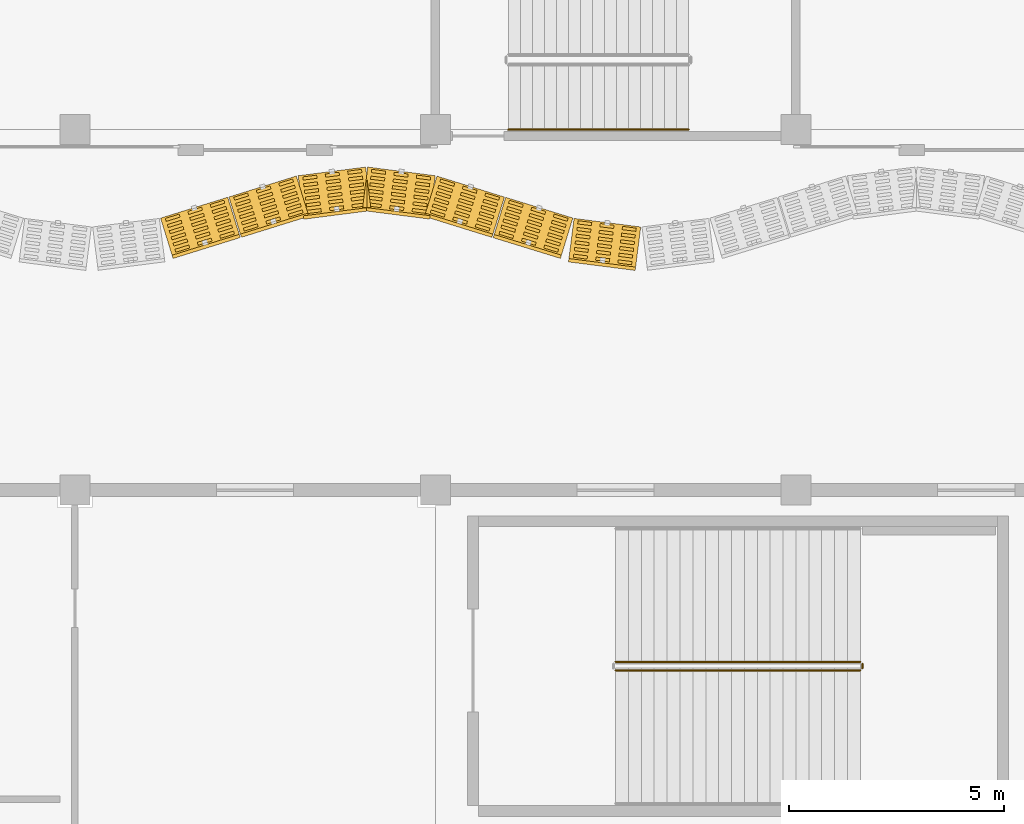
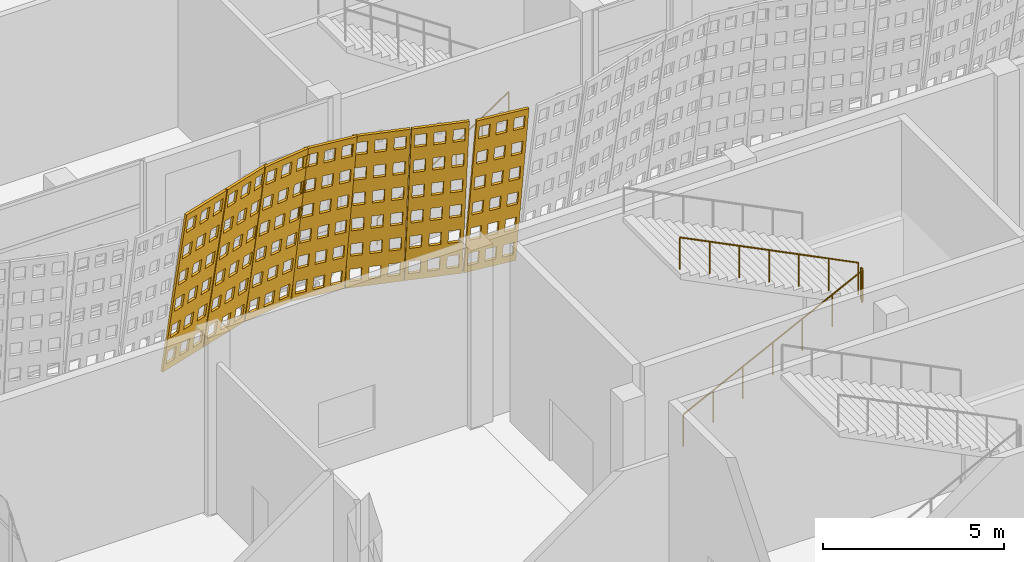
# One storey, part 187 of 210: 7 coverings, 4 railings.
"""IFC4 building model written with IfcOpenShell, lengths in metres."""

from ifc_helpers import new_model, si_unit, direction, frame, origin, origin_2d, place, context, subcontext, project, spatial, polyline, circle, outline, extrude, material, layer, layer_set, type_object, element, save


model = new_model("IFC4")

# Units and contexts
model_context = context("Model", 3, precision=1e-05, world=origin(), true_north=direction((0.0, 1.0)))
body_context = subcontext(model_context, "Body", "Model", "MODEL_VIEW")
ifc_project = project(units=[si_unit("LENGTHUNIT", "METRE"), si_unit("AREAUNIT", "SQUARE_METRE"), si_unit("VOLUMEUNIT", "CUBIC_METRE"), si_unit("PLANEANGLEUNIT", "RADIAN"), si_unit("MASSUNIT", "GRAM", prefix="KILO")], contexts=[model_context])

# Site, building, storey
site_placement = place(None, origin())
site = spatial("IfcSite", under=ifc_project, at=site_placement, CompositionType="ELEMENT")
building_placement = place(site_placement, origin())
building = spatial("IfcBuilding", under=site, at=building_placement, Name="Rain Tree Exposition and Congress Centre", CompositionType="ELEMENT")
storey_placement = place(building_placement, origin())
storey = spatial("IfcBuildingStorey", under=building, at=storey_placement, Name="L00", CompositionType="ELEMENT", Elevation=0.0)

# Railings
ifc_material_1 = material(Name="Aluminium handrail", Category="aluminium")
railing_type_1 = type_object("IfcRailingType", Name="Concourse handrail 900", PredefinedType="HANDRAIL", material=ifc_material_1)
railing_1_placement = place(storey_placement, frame((169.699951171875, 75.60009765625, 0.1875)))
element("IfcRailing", 1, at=railing_1_placement, inside=storey, type_object=railing_type_1, Name="L00 ST-C4 stair handrail 1", PredefinedType="HANDRAIL", context=body_context, shape_type="SweptSolid", body=[
    extrude(circle(Radius=0.02392578125, at=origin_2d()), frame((0.0, 0.0, 0.8759765625), z_axis=(0.830904186295, 0.0, 0.556415522067), x_axis=(0.0, 1.0, 0.0)), (0.0, 0.0, 1.0), 5.0546875),
    extrude(circle(Radius=0.02099609375, at=origin_2d()), origin(), (0.0, 0.0, 1.0), 0.851806640625),
    extrude(circle(Radius=0.02099609375, at=origin_2d()), frame((0.840087890625, 0.0, 0.5625)), (0.0, 0.0, 1.0), 0.851806640625),
    extrude(circle(Radius=0.02099609375, at=origin_2d()), frame((1.679931640625, 0.0, 1.125)), (0.0, 0.0, 1.0), 0.851806640625),
    extrude(circle(Radius=0.02099609375, at=origin_2d()), frame((2.52001953125, 0.0, 1.6875)), (0.0, 0.0, 1.0), 0.851806640625),
    extrude(circle(Radius=0.02099609375, at=origin_2d()), frame((3.35986328125, 0.0, 2.25)), (0.0, 0.0, 1.0), 0.851806640625),
    extrude(circle(Radius=0.02099609375, at=origin_2d()), frame((4.199951171875, 0.0, 2.8125)), (0.0, 0.0, 1.0), 0.851806640625),
])
ifc_material_2 = material(Name="Steel S355J2H", Category="steel")
railing_type_2 = type_object("IfcRailingType", Name="Steel guard 1100", PredefinedType="GUARDRAIL", material=ifc_material_2)
railing_2_placement = place(storey_placement, frame((172.199951171875, 63.0, 0.14990234375)))
element("IfcRailing", 2, at=railing_2_placement, inside=storey, type_object=railing_type_2, Name="L00 ST-G4 stair guard 1", PredefinedType="GUARDRAIL", context=body_context, shape_type="SweptSolid", body=[
    extrude(circle(Radius=0.02392578125, at=origin_2d()), frame((0.0, 0.0, 1.076171875), z_axis=(0.894419528903, 0.0, 0.447228919365), x_axis=(0.0, 1.0, 0.0)), (0.0, 0.0, 1.0), 6.372802734375),
    extrude(circle(Radius=0.02099609375, at=origin_2d()), origin(), (0.0, 0.0, 1.0), 1.052001953125),
    extrude(circle(Radius=0.02099609375, at=origin_2d()), frame((0.949951171875, 0.0, 0.47509765625)), (0.0, 0.0, 1.0), 1.052001953125),
    extrude(circle(Radius=0.02099609375, at=origin_2d()), frame((1.89990234375, 0.0, 0.949951171875)), (0.0, 0.0, 1.0), 1.052001953125),
    extrude(circle(Radius=0.02099609375, at=origin_2d()), frame((2.85009765625, 0.0, 1.425048828125)), (0.0, 0.0, 1.0), 1.052001953125),
    extrude(circle(Radius=0.02099609375, at=origin_2d()), frame((3.800048828125, 0.0, 1.900146484375)), (0.0, 0.0, 1.0), 1.052001953125),
    extrude(circle(Radius=0.02099609375, at=origin_2d()), frame((4.75, 0.0, 2.375)), (0.0, 0.0, 1.0), 1.052001953125),
    extrude(circle(Radius=0.02099609375, at=origin_2d()), frame((5.699951171875, 0.0, 2.85009765625)), (0.0, 0.0, 1.0), 1.052001953125),
])
railing_3_placement = place(storey_placement, frame((177.949951171875, 63.050048828125, 3.0)))
element("IfcRailing", 3, at=railing_3_placement, inside=storey, type_object=railing_type_2, Name="L00 ST-G4 stair guard 2", PredefinedType="GUARDRAIL", context=body_context, shape_type="SweptSolid", body=[
    extrude(circle(Radius=0.02392578125, at=origin_2d()), frame((0.0, 0.0, 1.076171875), z_axis=(0.0, 1.0, 0.0), x_axis=(-1.0, 0.0, 0.0)), (0.0, 0.0, 1.0), 0.099853515625),
    extrude(circle(Radius=0.02099609375, at=origin_2d()), origin(), (0.0, 0.0, 1.0), 1.052001953125),
    extrude(circle(Radius=0.02099609375, at=origin_2d()), frame((0.0, 0.099853515625, 0.0)), (0.0, 0.0, 1.0), 1.052001953125),
])
railing_4_placement = place(storey_placement, frame((177.89990234375, 63.199951171875, 3.14990234375)))
element("IfcRailing", 4, at=railing_4_placement, inside=storey, type_object=railing_type_2, Name="L00 ST-G4 stair guard 3", PredefinedType="GUARDRAIL", context=body_context, shape_type="SweptSolid", body=[
    extrude(circle(Radius=0.02392578125, at=origin_2d()), frame((0.0, 0.0, 1.076171875), z_axis=(-0.894419528903, 0.0, 0.447228919365), x_axis=(0.0, -1.0, 0.0)), (0.0, 0.0, 1.0), 6.372802734375),
    extrude(circle(Radius=0.02099609375, at=origin_2d()), origin(), (0.0, 0.0, 1.0), 1.052001953125),
    extrude(circle(Radius=0.02099609375, at=origin_2d()), frame((-0.949951171875, 0.0, 0.47509765625)), (0.0, 0.0, 1.0), 1.052001953125),
    extrude(circle(Radius=0.02099609375, at=origin_2d()), frame((-1.89990234375, 0.0, 0.949951171875)), (0.0, 0.0, 1.0), 1.052001953125),
    extrude(circle(Radius=0.02099609375, at=origin_2d()), frame((-2.85009765625, 0.0, 1.425048828125)), (0.0, 0.0, 1.0), 1.052001953125),
    extrude(circle(Radius=0.02099609375, at=origin_2d()), frame((-3.800048828125, 0.0, 1.900146484375)), (0.0, 0.0, 1.0), 1.052001953125),
    extrude(circle(Radius=0.02099609375, at=origin_2d()), frame((-4.75, 0.0, 2.375)), (0.0, 0.0, 1.0), 1.052001953125),
    extrude(circle(Radius=0.02099609375, at=origin_2d()), frame((-5.699951171875, 0.0, 2.85009765625)), (0.0, 0.0, 1.0), 1.052001953125),
])

# Coverings
ifc_material_3 = material(Name="Perforated terracotta", Category="masonry")
ifc_layer = layer(ifc_material_3, 0.080078125)
ifc_layer_set = layer_set([ifc_layer], Name="Perforated terracotta")
covering_type = type_object("IfcCoveringType", Name="Terracotta screen 80", PredefinedType="CLADDING", material=ifc_layer_set)
covering_1_placement = place(storey_placement, frame((161.60009765625, 73.455078125, 0.0), z_axis=(-0.293072736571, 0.943327870838, 0.155694891303), x_axis=(-0.954973588716, -0.296690823679, 0.0)))
element("IfcCovering", 5, at=covering_1_placement, inside=storey, type_object=covering_type, Name="concourse/screen/L00/102", PredefinedType="CLADDING", context=body_context, shape_type="SweptSolid", body=[
    extrude(outline(polyline([(-0.02197265625, 0.0), (-1.659912109375, 0.0), (-1.659912109375, 5.80859375), (-0.02197265625, 5.80859375), (-0.02197265625, 0.0)]), holes=[polyline([(-0.125732421875, 0.249755859375), (-0.125732421875, 0.71826171875), (-0.464111328125, 0.71826171875), (-0.464111328125, 0.249755859375), (-0.125732421875, 0.249755859375)]), polyline([(-0.125732421875, 1.218017578125), (-0.125732421875, 1.686279296875), (-0.464111328125, 1.686279296875), (-0.464111328125, 1.218017578125), (-0.125732421875, 1.218017578125)]), polyline([(-0.125732421875, 2.18603515625), (-0.125732421875, 2.654541015625), (-0.464111328125, 2.654541015625), (-0.464111328125, 2.18603515625), (-0.125732421875, 2.18603515625)]), polyline([(-0.125732421875, 3.154052734375), (-0.125732421875, 3.62255859375), (-0.464111328125, 3.62255859375), (-0.464111328125, 3.154052734375), (-0.125732421875, 3.154052734375)]), polyline([(-0.125732421875, 4.122314453125), (-0.125732421875, 4.5908203125), (-0.464111328125, 4.5908203125), (-0.464111328125, 4.122314453125), (-0.125732421875, 4.122314453125)]), polyline([(-0.125732421875, 5.09033203125), (-0.125732421875, 5.558837890625), (-0.464111328125, 5.558837890625), (-0.464111328125, 5.09033203125), (-0.125732421875, 5.09033203125)]), polyline([(-0.671630859375, 0.249755859375), (-0.671630859375, 0.71826171875), (-1.010009765625, 0.71826171875), (-1.010009765625, 0.249755859375), (-0.671630859375, 0.249755859375)]), polyline([(-0.671630859375, 1.218017578125), (-0.671630859375, 1.686279296875), (-1.010009765625, 1.686279296875), (-1.010009765625, 1.218017578125), (-0.671630859375, 1.218017578125)]), polyline([(-0.671630859375, 2.18603515625), (-0.671630859375, 2.654541015625), (-1.010009765625, 2.654541015625), (-1.010009765625, 2.18603515625), (-0.671630859375, 2.18603515625)]), polyline([(-0.671630859375, 3.154052734375), (-0.671630859375, 3.62255859375), (-1.010009765625, 3.62255859375), (-1.010009765625, 3.154052734375), (-0.671630859375, 3.154052734375)]), polyline([(-0.671630859375, 4.122314453125), (-0.671630859375, 4.5908203125), (-1.010009765625, 4.5908203125), (-1.010009765625, 4.122314453125), (-0.671630859375, 4.122314453125)]), polyline([(-0.671630859375, 5.09033203125), (-0.671630859375, 5.558837890625), (-1.010009765625, 5.558837890625), (-1.010009765625, 5.09033203125), (-0.671630859375, 5.09033203125)]), polyline([(-1.217529296875, 0.249755859375), (-1.217529296875, 0.71826171875), (-1.55615234375, 0.71826171875), (-1.55615234375, 0.249755859375), (-1.217529296875, 0.249755859375)]), polyline([(-1.217529296875, 1.218017578125), (-1.217529296875, 1.686279296875), (-1.55615234375, 1.686279296875), (-1.55615234375, 1.218017578125), (-1.217529296875, 1.218017578125)]), polyline([(-1.217529296875, 2.18603515625), (-1.217529296875, 2.654541015625), (-1.55615234375, 2.654541015625), (-1.55615234375, 2.18603515625), (-1.217529296875, 2.18603515625)]), polyline([(-1.217529296875, 3.154052734375), (-1.217529296875, 3.62255859375), (-1.55615234375, 3.62255859375), (-1.55615234375, 3.154052734375), (-1.217529296875, 3.154052734375)]), polyline([(-1.217529296875, 4.122314453125), (-1.217529296875, 4.5908203125), (-1.55615234375, 4.5908203125), (-1.55615234375, 4.122314453125), (-1.217529296875, 4.122314453125)]), polyline([(-1.217529296875, 5.09033203125), (-1.217529296875, 5.558837890625), (-1.55615234375, 5.558837890625), (-1.55615234375, 5.09033203125), (-1.217529296875, 5.09033203125)])]), origin(), (0.0, 0.0, 1.0), 0.080078125),
])
covering_2_placement = place(storey_placement, frame((163.199951171875, 73.949951171875, 0.0), z_axis=(-0.293072736571, 0.943327870838, 0.155694891303), x_axis=(-0.954973588716, -0.296690823679, 0.0)))
element("IfcCovering", 6, at=covering_2_placement, inside=storey, type_object=covering_type, Name="concourse/screen/L00/103", PredefinedType="CLADDING", context=body_context, shape_type="SweptSolid", body=[
    extrude(outline(polyline([(-0.014892578125, 0.0), (-1.659912109375, 0.0), (-1.659912109375, 5.80859375), (-0.014892578125, 5.80859375), (-0.014892578125, 0.0)]), holes=[polyline([(-0.119140625, 0.249755859375), (-0.119140625, 0.71826171875), (-0.458984375, 0.71826171875), (-0.458984375, 0.249755859375), (-0.119140625, 0.249755859375)]), polyline([(-0.119140625, 1.218017578125), (-0.119140625, 1.686279296875), (-0.458984375, 1.686279296875), (-0.458984375, 1.218017578125), (-0.119140625, 1.218017578125)]), polyline([(-0.119140625, 2.18603515625), (-0.119140625, 2.654541015625), (-0.458984375, 2.654541015625), (-0.458984375, 2.18603515625), (-0.119140625, 2.18603515625)]), polyline([(-0.119140625, 3.154052734375), (-0.119140625, 3.62255859375), (-0.458984375, 3.62255859375), (-0.458984375, 3.154052734375), (-0.119140625, 3.154052734375)]), polyline([(-0.119140625, 4.122314453125), (-0.119140625, 4.5908203125), (-0.458984375, 4.5908203125), (-0.458984375, 4.122314453125), (-0.119140625, 4.122314453125)]), polyline([(-0.119140625, 5.09033203125), (-0.119140625, 5.558837890625), (-0.458984375, 5.558837890625), (-0.458984375, 5.09033203125), (-0.119140625, 5.09033203125)]), polyline([(-0.66748046875, 0.249755859375), (-0.66748046875, 0.71826171875), (-1.00732421875, 0.71826171875), (-1.00732421875, 0.249755859375), (-0.66748046875, 0.249755859375)]), polyline([(-0.66748046875, 1.218017578125), (-0.66748046875, 1.686279296875), (-1.00732421875, 1.686279296875), (-1.00732421875, 1.218017578125), (-0.66748046875, 1.218017578125)]), polyline([(-0.66748046875, 2.18603515625), (-0.66748046875, 2.654541015625), (-1.00732421875, 2.654541015625), (-1.00732421875, 2.18603515625), (-0.66748046875, 2.18603515625)]), polyline([(-0.66748046875, 3.154052734375), (-0.66748046875, 3.62255859375), (-1.00732421875, 3.62255859375), (-1.00732421875, 3.154052734375), (-0.66748046875, 3.154052734375)]), polyline([(-0.66748046875, 4.122314453125), (-0.66748046875, 4.5908203125), (-1.00732421875, 4.5908203125), (-1.00732421875, 4.122314453125), (-0.66748046875, 4.122314453125)]), polyline([(-0.66748046875, 5.09033203125), (-0.66748046875, 5.558837890625), (-1.00732421875, 5.558837890625), (-1.00732421875, 5.09033203125), (-0.66748046875, 5.09033203125)]), polyline([(-1.2158203125, 0.249755859375), (-1.2158203125, 0.71826171875), (-1.5556640625, 0.71826171875), (-1.5556640625, 0.249755859375), (-1.2158203125, 0.249755859375)]), polyline([(-1.2158203125, 1.218017578125), (-1.2158203125, 1.686279296875), (-1.5556640625, 1.686279296875), (-1.5556640625, 1.218017578125), (-1.2158203125, 1.218017578125)]), polyline([(-1.2158203125, 2.18603515625), (-1.2158203125, 2.654541015625), (-1.5556640625, 2.654541015625), (-1.5556640625, 2.18603515625), (-1.2158203125, 2.18603515625)]), polyline([(-1.2158203125, 3.154052734375), (-1.2158203125, 3.62255859375), (-1.5556640625, 3.62255859375), (-1.5556640625, 3.154052734375), (-1.2158203125, 3.154052734375)]), polyline([(-1.2158203125, 4.122314453125), (-1.2158203125, 4.5908203125), (-1.5556640625, 4.5908203125), (-1.5556640625, 4.122314453125), (-1.2158203125, 4.122314453125)]), polyline([(-1.2158203125, 5.09033203125), (-1.2158203125, 5.558837890625), (-1.5556640625, 5.558837890625), (-1.5556640625, 5.09033203125), (-1.2158203125, 5.09033203125)])]), origin(), (0.0, 0.0, 1.0), 0.080078125),
])
covering_3_placement = place(storey_placement, frame((164.800048828125, 74.445068359375, 0.0), z_axis=(-0.125405134464, 0.978771781185, 0.162109076259), x_axis=(-0.991891686382, -0.127086122318, 0.0)))
element("IfcCovering", 7, at=covering_3_placement, inside=storey, type_object=covering_type, Name="concourse/screen/L00/104", PredefinedType="CLADDING", context=body_context, shape_type="SweptSolid", body=[
    extrude(outline(polyline([(-0.014892578125, 0.0), (-1.59814453125, 0.0), (-1.59814453125, 5.813720703125), (-0.014892578125, 5.813720703125), (-0.014892578125, 0.0)]), holes=[polyline([(-0.115234375, 0.25), (-0.115234375, 0.718994140625), (-0.4423828125, 0.718994140625), (-0.4423828125, 0.25), (-0.115234375, 0.25)]), polyline([(-0.115234375, 1.218994140625), (-0.115234375, 1.687744140625), (-0.4423828125, 1.687744140625), (-0.4423828125, 1.218994140625), (-0.115234375, 1.218994140625)]), polyline([(-0.115234375, 2.18798828125), (-0.115234375, 2.65673828125), (-0.4423828125, 2.65673828125), (-0.4423828125, 2.18798828125), (-0.115234375, 2.18798828125)]), polyline([(-0.115234375, 3.156982421875), (-0.115234375, 3.625732421875), (-0.4423828125, 3.625732421875), (-0.4423828125, 3.156982421875), (-0.115234375, 3.156982421875)]), polyline([(-0.115234375, 4.125732421875), (-0.115234375, 4.594482421875), (-0.4423828125, 4.594482421875), (-0.4423828125, 4.125732421875), (-0.115234375, 4.125732421875)]), polyline([(-0.115234375, 5.0947265625), (-0.115234375, 5.563720703125), (-0.4423828125, 5.563720703125), (-0.4423828125, 5.0947265625), (-0.115234375, 5.0947265625)]), polyline([(-0.64306640625, 0.25), (-0.64306640625, 0.718994140625), (-0.97021484375, 0.718994140625), (-0.97021484375, 0.25), (-0.64306640625, 0.25)]), polyline([(-0.64306640625, 1.218994140625), (-0.64306640625, 1.687744140625), (-0.97021484375, 1.687744140625), (-0.97021484375, 1.218994140625), (-0.64306640625, 1.218994140625)]), polyline([(-0.64306640625, 2.18798828125), (-0.64306640625, 2.65673828125), (-0.97021484375, 2.65673828125), (-0.97021484375, 2.18798828125), (-0.64306640625, 2.18798828125)]), polyline([(-0.64306640625, 3.156982421875), (-0.64306640625, 3.625732421875), (-0.97021484375, 3.625732421875), (-0.97021484375, 3.156982421875), (-0.64306640625, 3.156982421875)]), polyline([(-0.64306640625, 4.125732421875), (-0.64306640625, 4.594482421875), (-0.97021484375, 4.594482421875), (-0.97021484375, 4.125732421875), (-0.64306640625, 4.125732421875)]), polyline([(-0.64306640625, 5.0947265625), (-0.64306640625, 5.563720703125), (-0.97021484375, 5.563720703125), (-0.97021484375, 5.0947265625), (-0.64306640625, 5.0947265625)]), polyline([(-1.170654296875, 0.25), (-1.170654296875, 0.718994140625), (-1.497802734375, 0.718994140625), (-1.497802734375, 0.25), (-1.170654296875, 0.25)]), polyline([(-1.170654296875, 1.218994140625), (-1.170654296875, 1.687744140625), (-1.497802734375, 1.687744140625), (-1.497802734375, 1.218994140625), (-1.170654296875, 1.218994140625)]), polyline([(-1.170654296875, 2.18798828125), (-1.170654296875, 2.65673828125), (-1.497802734375, 2.65673828125), (-1.497802734375, 2.18798828125), (-1.170654296875, 2.18798828125)]), polyline([(-1.170654296875, 3.156982421875), (-1.170654296875, 3.625732421875), (-1.497802734375, 3.625732421875), (-1.497802734375, 3.156982421875), (-1.170654296875, 3.156982421875)]), polyline([(-1.170654296875, 4.125732421875), (-1.170654296875, 4.594482421875), (-1.497802734375, 4.594482421875), (-1.497802734375, 4.125732421875), (-1.170654296875, 4.125732421875)]), polyline([(-1.170654296875, 5.0947265625), (-1.170654296875, 5.563720703125), (-1.497802734375, 5.563720703125), (-1.497802734375, 5.0947265625), (-1.170654296875, 5.0947265625)])]), origin(), (0.0, 0.0, 1.0), 0.079833984375),
])
covering_4_placement = place(storey_placement, frame((166.39990234375, 74.64990234375, 0.0), z_axis=(0.125030801275, 0.978899688033, 0.161625182136), x_axis=(-0.991941518713, 0.126696580272, 0.0)))
element("IfcCovering", 8, at=covering_4_placement, inside=storey, type_object=covering_type, Name="concourse/screen/L00/105", PredefinedType="CLADDING", context=body_context, shape_type="SweptSolid", body=[
    extrude(outline(polyline([(-0.014892578125, 0.0), (-1.59814453125, 0.0), (-1.59814453125, 5.813720703125), (-0.014892578125, 5.813720703125), (-0.014892578125, 0.0)]), holes=[polyline([(-0.115234375, 0.25), (-0.115234375, 0.718994140625), (-0.4423828125, 0.718994140625), (-0.4423828125, 0.25), (-0.115234375, 0.25)]), polyline([(-0.115234375, 1.218994140625), (-0.115234375, 1.687744140625), (-0.4423828125, 1.687744140625), (-0.4423828125, 1.218994140625), (-0.115234375, 1.218994140625)]), polyline([(-0.115234375, 2.18798828125), (-0.115234375, 2.65673828125), (-0.4423828125, 2.65673828125), (-0.4423828125, 2.18798828125), (-0.115234375, 2.18798828125)]), polyline([(-0.115234375, 3.156982421875), (-0.115234375, 3.625732421875), (-0.4423828125, 3.625732421875), (-0.4423828125, 3.156982421875), (-0.115234375, 3.156982421875)]), polyline([(-0.115234375, 4.125732421875), (-0.115234375, 4.594482421875), (-0.4423828125, 4.594482421875), (-0.4423828125, 4.125732421875), (-0.115234375, 4.125732421875)]), polyline([(-0.115234375, 5.0947265625), (-0.115234375, 5.563720703125), (-0.4423828125, 5.563720703125), (-0.4423828125, 5.0947265625), (-0.115234375, 5.0947265625)]), polyline([(-0.64306640625, 0.25), (-0.64306640625, 0.718994140625), (-0.97021484375, 0.718994140625), (-0.97021484375, 0.25), (-0.64306640625, 0.25)]), polyline([(-0.64306640625, 1.218994140625), (-0.64306640625, 1.687744140625), (-0.97021484375, 1.687744140625), (-0.97021484375, 1.218994140625), (-0.64306640625, 1.218994140625)]), polyline([(-0.64306640625, 2.18798828125), (-0.64306640625, 2.65673828125), (-0.97021484375, 2.65673828125), (-0.97021484375, 2.18798828125), (-0.64306640625, 2.18798828125)]), polyline([(-0.64306640625, 3.156982421875), (-0.64306640625, 3.625732421875), (-0.97021484375, 3.625732421875), (-0.97021484375, 3.156982421875), (-0.64306640625, 3.156982421875)]), polyline([(-0.64306640625, 4.125732421875), (-0.64306640625, 4.594482421875), (-0.97021484375, 4.594482421875), (-0.97021484375, 4.125732421875), (-0.64306640625, 4.125732421875)]), polyline([(-0.64306640625, 5.0947265625), (-0.64306640625, 5.563720703125), (-0.97021484375, 5.563720703125), (-0.97021484375, 5.0947265625), (-0.64306640625, 5.0947265625)]), polyline([(-1.170654296875, 0.25), (-1.170654296875, 0.718994140625), (-1.497802734375, 0.718994140625), (-1.497802734375, 0.25), (-1.170654296875, 0.25)]), polyline([(-1.170654296875, 1.218994140625), (-1.170654296875, 1.687744140625), (-1.497802734375, 1.687744140625), (-1.497802734375, 1.218994140625), (-1.170654296875, 1.218994140625)]), polyline([(-1.170654296875, 2.18798828125), (-1.170654296875, 2.65673828125), (-1.497802734375, 2.65673828125), (-1.497802734375, 2.18798828125), (-1.170654296875, 2.18798828125)]), polyline([(-1.170654296875, 3.156982421875), (-1.170654296875, 3.625732421875), (-1.497802734375, 3.625732421875), (-1.497802734375, 3.156982421875), (-1.170654296875, 3.156982421875)]), polyline([(-1.170654296875, 4.125732421875), (-1.170654296875, 4.594482421875), (-1.497802734375, 4.594482421875), (-1.497802734375, 4.125732421875), (-1.170654296875, 4.125732421875)]), polyline([(-1.170654296875, 5.0947265625), (-1.170654296875, 5.563720703125), (-1.497802734375, 5.563720703125), (-1.497802734375, 5.0947265625), (-1.170654296875, 5.0947265625)])]), origin(), (0.0, 0.0, 1.0), 0.080078125),
])
covering_5_placement = place(storey_placement, frame((168.0, 74.445068359375, 0.0), z_axis=(0.293072736571, 0.943327870838, 0.155694891303), x_axis=(-0.954973588716, 0.296690823679, 0.0)))
element("IfcCovering", 9, at=covering_5_placement, inside=storey, type_object=covering_type, Name="concourse/screen/L00/106", PredefinedType="CLADDING", context=body_context, shape_type="SweptSolid", body=[
    extrude(outline(polyline([(-0.014892578125, 0.0), (-1.659912109375, 0.0), (-1.659912109375, 5.80859375), (-0.014892578125, 5.80859375), (-0.014892578125, 0.0)]), holes=[polyline([(-0.119140625, 0.249755859375), (-0.119140625, 0.71826171875), (-0.458984375, 0.71826171875), (-0.458984375, 0.249755859375), (-0.119140625, 0.249755859375)]), polyline([(-0.119140625, 1.218017578125), (-0.119140625, 1.686279296875), (-0.458984375, 1.686279296875), (-0.458984375, 1.218017578125), (-0.119140625, 1.218017578125)]), polyline([(-0.119140625, 2.18603515625), (-0.119140625, 2.654541015625), (-0.458984375, 2.654541015625), (-0.458984375, 2.18603515625), (-0.119140625, 2.18603515625)]), polyline([(-0.119140625, 3.154052734375), (-0.119140625, 3.62255859375), (-0.458984375, 3.62255859375), (-0.458984375, 3.154052734375), (-0.119140625, 3.154052734375)]), polyline([(-0.119140625, 4.122314453125), (-0.119140625, 4.5908203125), (-0.458984375, 4.5908203125), (-0.458984375, 4.122314453125), (-0.119140625, 4.122314453125)]), polyline([(-0.119140625, 5.09033203125), (-0.119140625, 5.558837890625), (-0.458984375, 5.558837890625), (-0.458984375, 5.09033203125), (-0.119140625, 5.09033203125)]), polyline([(-0.66748046875, 0.249755859375), (-0.66748046875, 0.71826171875), (-1.00732421875, 0.71826171875), (-1.00732421875, 0.249755859375), (-0.66748046875, 0.249755859375)]), polyline([(-0.66748046875, 1.218017578125), (-0.66748046875, 1.686279296875), (-1.00732421875, 1.686279296875), (-1.00732421875, 1.218017578125), (-0.66748046875, 1.218017578125)]), polyline([(-0.66748046875, 2.18603515625), (-0.66748046875, 2.654541015625), (-1.00732421875, 2.654541015625), (-1.00732421875, 2.18603515625), (-0.66748046875, 2.18603515625)]), polyline([(-0.66748046875, 3.154052734375), (-0.66748046875, 3.62255859375), (-1.00732421875, 3.62255859375), (-1.00732421875, 3.154052734375), (-0.66748046875, 3.154052734375)]), polyline([(-0.66748046875, 4.122314453125), (-0.66748046875, 4.5908203125), (-1.00732421875, 4.5908203125), (-1.00732421875, 4.122314453125), (-0.66748046875, 4.122314453125)]), polyline([(-0.66748046875, 5.09033203125), (-0.66748046875, 5.558837890625), (-1.00732421875, 5.558837890625), (-1.00732421875, 5.09033203125), (-0.66748046875, 5.09033203125)]), polyline([(-1.2158203125, 0.249755859375), (-1.2158203125, 0.71826171875), (-1.5556640625, 0.71826171875), (-1.5556640625, 0.249755859375), (-1.2158203125, 0.249755859375)]), polyline([(-1.2158203125, 1.218017578125), (-1.2158203125, 1.686279296875), (-1.5556640625, 1.686279296875), (-1.5556640625, 1.218017578125), (-1.2158203125, 1.218017578125)]), polyline([(-1.2158203125, 2.18603515625), (-1.2158203125, 2.654541015625), (-1.5556640625, 2.654541015625), (-1.5556640625, 2.18603515625), (-1.2158203125, 2.18603515625)]), polyline([(-1.2158203125, 3.154052734375), (-1.2158203125, 3.62255859375), (-1.5556640625, 3.62255859375), (-1.5556640625, 3.154052734375), (-1.2158203125, 3.154052734375)]), polyline([(-1.2158203125, 4.122314453125), (-1.2158203125, 4.5908203125), (-1.5556640625, 4.5908203125), (-1.5556640625, 4.122314453125), (-1.2158203125, 4.122314453125)]), polyline([(-1.2158203125, 5.09033203125), (-1.2158203125, 5.558837890625), (-1.5556640625, 5.558837890625), (-1.5556640625, 5.09033203125), (-1.2158203125, 5.09033203125)])]), origin(), (0.0, 0.0, 1.0), 0.080078125),
])
covering_6_placement = place(storey_placement, frame((169.60009765625, 73.949951171875, 0.0), z_axis=(0.290278371326, 0.94416859726, 0.155833651975), x_axis=(-0.955845867297, 0.293868470528, 0.0)))
element("IfcCovering", 10, at=covering_6_placement, inside=storey, type_object=covering_type, Name="concourse/screen/L00/107", PredefinedType="CLADDING", context=body_context, shape_type="SweptSolid", body=[
    extrude(outline(polyline([(-0.014892578125, 0.0), (-1.65283203125, 0.0), (-1.65283203125, 5.80859375), (-0.014892578125, 5.80859375), (-0.014892578125, 0.0)]), holes=[polyline([(-0.11865234375, 0.249755859375), (-0.11865234375, 0.71826171875), (-0.457275390625, 0.71826171875), (-0.457275390625, 0.249755859375), (-0.11865234375, 0.249755859375)]), polyline([(-0.11865234375, 1.218017578125), (-0.11865234375, 1.686279296875), (-0.457275390625, 1.686279296875), (-0.457275390625, 1.218017578125), (-0.11865234375, 1.218017578125)]), polyline([(-0.11865234375, 2.18603515625), (-0.11865234375, 2.654541015625), (-0.457275390625, 2.654541015625), (-0.457275390625, 2.18603515625), (-0.11865234375, 2.18603515625)]), polyline([(-0.11865234375, 3.154052734375), (-0.11865234375, 3.62255859375), (-0.457275390625, 3.62255859375), (-0.457275390625, 3.154052734375), (-0.11865234375, 3.154052734375)]), polyline([(-0.11865234375, 4.122314453125), (-0.11865234375, 4.5908203125), (-0.457275390625, 4.5908203125), (-0.457275390625, 4.122314453125), (-0.11865234375, 4.122314453125)]), polyline([(-0.11865234375, 5.09033203125), (-0.11865234375, 5.558837890625), (-0.457275390625, 5.558837890625), (-0.457275390625, 5.09033203125), (-0.11865234375, 5.09033203125)]), polyline([(-0.664794921875, 0.249755859375), (-0.664794921875, 0.71826171875), (-1.003173828125, 0.71826171875), (-1.003173828125, 0.249755859375), (-0.664794921875, 0.249755859375)]), polyline([(-0.664794921875, 1.218017578125), (-0.664794921875, 1.686279296875), (-1.003173828125, 1.686279296875), (-1.003173828125, 1.218017578125), (-0.664794921875, 1.218017578125)]), polyline([(-0.664794921875, 2.18603515625), (-0.664794921875, 2.654541015625), (-1.003173828125, 2.654541015625), (-1.003173828125, 2.18603515625), (-0.664794921875, 2.18603515625)]), polyline([(-0.664794921875, 3.154052734375), (-0.664794921875, 3.62255859375), (-1.003173828125, 3.62255859375), (-1.003173828125, 3.154052734375), (-0.664794921875, 3.154052734375)]), polyline([(-0.664794921875, 4.122314453125), (-0.664794921875, 4.5908203125), (-1.003173828125, 4.5908203125), (-1.003173828125, 4.122314453125), (-0.664794921875, 4.122314453125)]), polyline([(-0.664794921875, 5.09033203125), (-0.664794921875, 5.558837890625), (-1.003173828125, 5.558837890625), (-1.003173828125, 5.09033203125), (-0.664794921875, 5.09033203125)]), polyline([(-1.210693359375, 0.249755859375), (-1.210693359375, 0.71826171875), (-1.54931640625, 0.71826171875), (-1.54931640625, 0.249755859375), (-1.210693359375, 0.249755859375)]), polyline([(-1.210693359375, 1.218017578125), (-1.210693359375, 1.686279296875), (-1.54931640625, 1.686279296875), (-1.54931640625, 1.218017578125), (-1.210693359375, 1.218017578125)]), polyline([(-1.210693359375, 2.18603515625), (-1.210693359375, 2.654541015625), (-1.54931640625, 2.654541015625), (-1.54931640625, 2.18603515625), (-1.210693359375, 2.18603515625)]), polyline([(-1.210693359375, 3.154052734375), (-1.210693359375, 3.62255859375), (-1.54931640625, 3.62255859375), (-1.54931640625, 3.154052734375), (-1.210693359375, 3.154052734375)]), polyline([(-1.210693359375, 4.122314453125), (-1.210693359375, 4.5908203125), (-1.54931640625, 4.5908203125), (-1.54931640625, 4.122314453125), (-1.210693359375, 4.122314453125)]), polyline([(-1.210693359375, 5.09033203125), (-1.210693359375, 5.558837890625), (-1.54931640625, 5.558837890625), (-1.54931640625, 5.09033203125), (-1.210693359375, 5.09033203125)])]), origin(), (0.0, 0.0, 1.0), 0.079833984375),
])
covering_7_placement = place(storey_placement, frame((171.199951171875, 73.455078125, 0.0), z_axis=(0.125405134464, 0.978771781185, 0.162109076259), x_axis=(-0.991891686382, 0.127086122318, 0.0)))
element("IfcCovering", 11, at=covering_7_placement, inside=storey, type_object=covering_type, Name="concourse/screen/L00/108", PredefinedType="CLADDING", context=body_context, shape_type="SweptSolid", body=[
    extrude(outline(polyline([(-0.02197265625, 0.0), (-1.587890625, 0.0), (-1.587890625, 5.813720703125), (-0.02197265625, 5.813720703125), (-0.02197265625, 0.0)]), holes=[polyline([(-0.12109375, 0.25), (-0.12109375, 0.718994140625), (-0.444580078125, 0.718994140625), (-0.444580078125, 0.25), (-0.12109375, 0.25)]), polyline([(-0.12109375, 1.218994140625), (-0.12109375, 1.687744140625), (-0.444580078125, 1.687744140625), (-0.444580078125, 1.218994140625), (-0.12109375, 1.218994140625)]), polyline([(-0.12109375, 2.18798828125), (-0.12109375, 2.65673828125), (-0.444580078125, 2.65673828125), (-0.444580078125, 2.18798828125), (-0.12109375, 2.18798828125)]), polyline([(-0.12109375, 3.156982421875), (-0.12109375, 3.625732421875), (-0.444580078125, 3.625732421875), (-0.444580078125, 3.156982421875), (-0.12109375, 3.156982421875)]), polyline([(-0.12109375, 4.125732421875), (-0.12109375, 4.594482421875), (-0.444580078125, 4.594482421875), (-0.444580078125, 4.125732421875), (-0.12109375, 4.125732421875)]), polyline([(-0.12109375, 5.0947265625), (-0.12109375, 5.563720703125), (-0.444580078125, 5.563720703125), (-0.444580078125, 5.0947265625), (-0.12109375, 5.0947265625)]), polyline([(-0.64306640625, 0.25), (-0.64306640625, 0.718994140625), (-0.966796875, 0.718994140625), (-0.966796875, 0.25), (-0.64306640625, 0.25)]), polyline([(-0.64306640625, 1.218994140625), (-0.64306640625, 1.687744140625), (-0.966796875, 1.687744140625), (-0.966796875, 1.218994140625), (-0.64306640625, 1.218994140625)]), polyline([(-0.64306640625, 2.18798828125), (-0.64306640625, 2.65673828125), (-0.966796875, 2.65673828125), (-0.966796875, 2.18798828125), (-0.64306640625, 2.18798828125)]), polyline([(-0.64306640625, 3.156982421875), (-0.64306640625, 3.625732421875), (-0.966796875, 3.625732421875), (-0.966796875, 3.156982421875), (-0.64306640625, 3.156982421875)]), polyline([(-0.64306640625, 4.125732421875), (-0.64306640625, 4.594482421875), (-0.966796875, 4.594482421875), (-0.966796875, 4.125732421875), (-0.64306640625, 4.125732421875)]), polyline([(-0.64306640625, 5.0947265625), (-0.64306640625, 5.563720703125), (-0.966796875, 5.563720703125), (-0.966796875, 5.0947265625), (-0.64306640625, 5.0947265625)]), polyline([(-1.1650390625, 0.25), (-1.1650390625, 0.718994140625), (-1.48876953125, 0.718994140625), (-1.48876953125, 0.25), (-1.1650390625, 0.25)]), polyline([(-1.1650390625, 1.218994140625), (-1.1650390625, 1.687744140625), (-1.48876953125, 1.687744140625), (-1.48876953125, 1.218994140625), (-1.1650390625, 1.218994140625)]), polyline([(-1.1650390625, 2.18798828125), (-1.1650390625, 2.65673828125), (-1.48876953125, 2.65673828125), (-1.48876953125, 2.18798828125), (-1.1650390625, 2.18798828125)]), polyline([(-1.1650390625, 3.156982421875), (-1.1650390625, 3.625732421875), (-1.48876953125, 3.625732421875), (-1.48876953125, 3.156982421875), (-1.1650390625, 3.156982421875)]), polyline([(-1.1650390625, 4.125732421875), (-1.1650390625, 4.594482421875), (-1.48876953125, 4.594482421875), (-1.48876953125, 4.125732421875), (-1.1650390625, 4.125732421875)]), polyline([(-1.1650390625, 5.0947265625), (-1.1650390625, 5.563720703125), (-1.48876953125, 5.563720703125), (-1.48876953125, 5.0947265625), (-1.1650390625, 5.0947265625)])]), origin(), (0.0, 0.0, 1.0), 0.079833984375),
])

save(model, "model.ifc")
